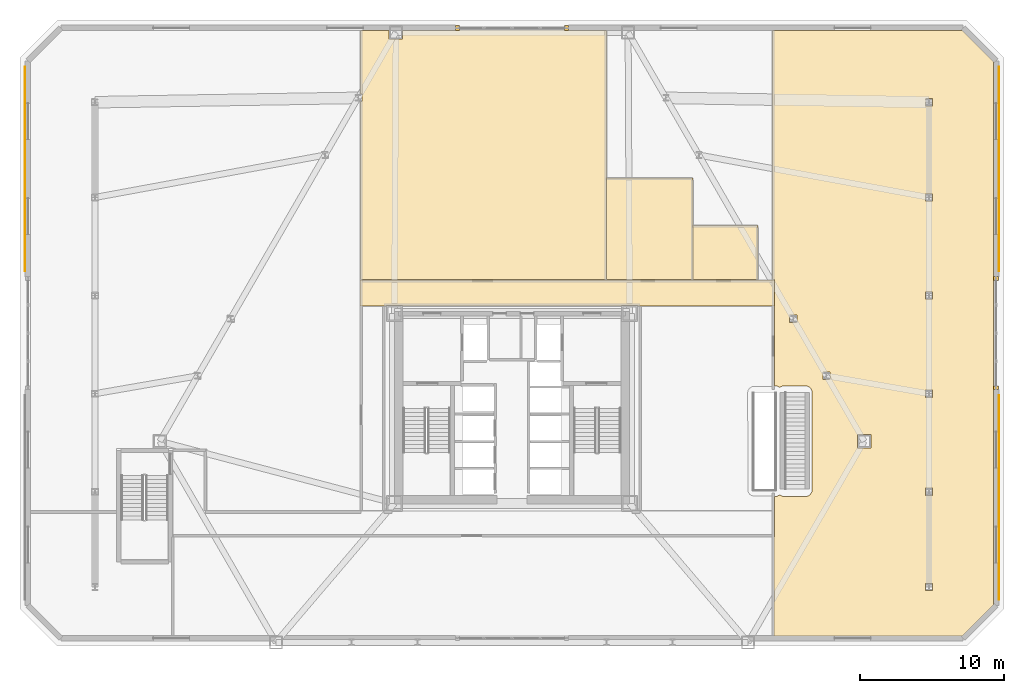
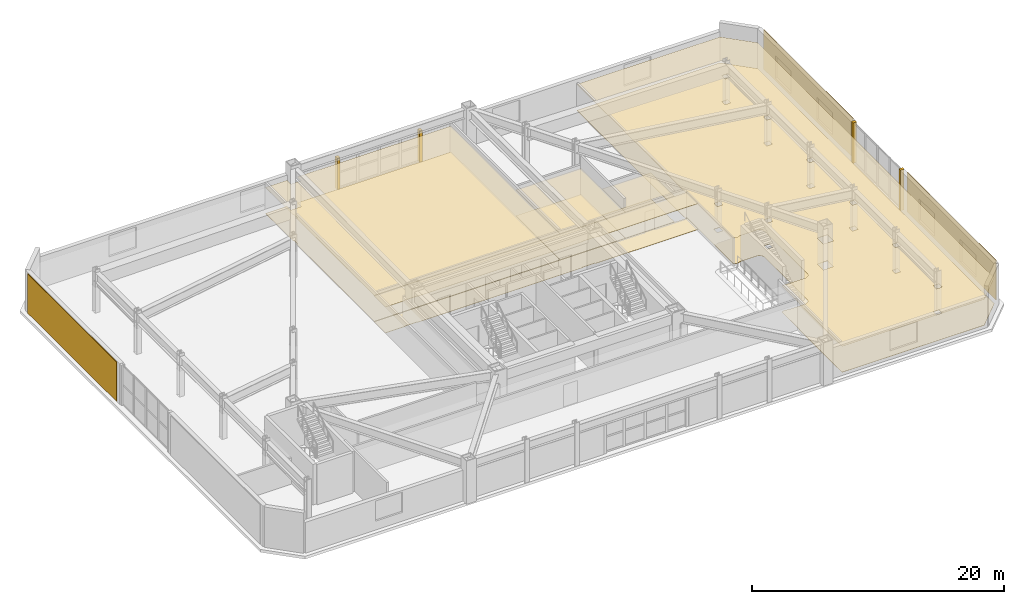
# One storey, part 22 of 22: 17 coverings.
"""IFC4 building model written with IfcOpenShell, lengths in metres."""

from ifc_helpers import new_model, si_unit, direction, frame, origin, origin_2d, place, context, subcontext, project, spatial, polyline, rectangle, outline, extrude, material, layer, layer_set, type_object, element, save


model = new_model("IFC4")

# Units and contexts
model_context = context("Model", 3, precision=1e-05, world=origin(), true_north=direction((0.0, 1.0)))
body_context = subcontext(model_context, "Body", "Model", "MODEL_VIEW")
ifc_project = project(units=[si_unit("LENGTHUNIT", "METRE"), si_unit("AREAUNIT", "SQUARE_METRE"), si_unit("VOLUMEUNIT", "CUBIC_METRE"), si_unit("PLANEANGLEUNIT", "RADIAN"), si_unit("MASSUNIT", "GRAM", prefix="KILO")], contexts=[model_context])

# Site, building, storey
site_placement = place(None, origin())
site = spatial("IfcSite", under=ifc_project, at=site_placement, CompositionType="ELEMENT")
building_placement = place(site_placement, origin())
building = spatial("IfcBuilding", under=site, at=building_placement, Name="Oramaril Tower", CompositionType="ELEMENT")
storey_placement = place(building_placement, frame((0.0, 0.0, 14.10009765625)))
storey = spatial("IfcBuildingStorey", under=building, at=storey_placement, Name="L03", CompositionType="ELEMENT", Elevation=14.10009765625)

# Coverings
ifc_material_1 = material(Name="Mineral Fibre Acoustic Ceiling")
ifc_layer_1 = layer(ifc_material_1, 0.02001953125)
ifc_layer_set_1 = layer_set([ifc_layer_1], Name="CVT-CEIL")
covering_type_1 = type_object("IfcCoveringType", Name="CVT-CEIL", PredefinedType="CEILING", material=ifc_layer_set_1)
covering_1_placement = place(storey_placement, frame((0.0, 0.0, 2.52197265625)))
element("IfcCovering", 1, at=covering_1_placement, inside=storey, type_object=covering_type_1, Name="L03 Acoustic Suspended Ceiling 2", PredefinedType="CEILING", context=body_context, shape_type="SweptSolid", body=[
    extrude(outline(polyline([(55.679931640625, 26.47998046875), (55.679931640625, 24.669921875), (46.219970703125, 24.669921875), (46.219970703125, 24.719970703125), (45.080078125, 24.719970703125), (45.080078125, 24.669921875), (29.919921875, 24.669921875), (29.919921875, 24.719970703125), (28.780029296875, 24.719970703125), (28.780029296875, 24.669921875), (26.969970703125, 24.669921875), (26.969970703125, 26.47998046875), (55.679931640625, 26.47998046875)])), origin(), (0.0, 0.0, 1.0), 0.02001953125),
])
covering_2_placement = place(storey_placement, frame((0.0, 0.0, 2.52197265625)))
element("IfcCovering", 2, at=covering_2_placement, inside=storey, type_object=covering_type_1, Name="L03 Acoustic Suspended Ceiling 6", PredefinedType="CEILING", context=body_context, shape_type="SweptSolid", body=[
    extrude(outline(polyline([(55.77099609375, 11.474609375), (55.86083984375, 11.492431640625), (56.05224609375, 11.587646484375), (56.19140625, 11.509521484375), (56.330078125, 11.474609375), (57.822021484375, 11.471923828125), (57.916259765625, 11.481201171875), (58.052001953125, 11.52978515625), (58.1279296875, 11.580810546875), (58.19287109375, 11.6455078125), (58.266845703125, 11.76904296875), (58.29345703125, 11.856689453125), (58.302978515625, 11.953125), (58.302978515625, 18.66650390625), (58.29345703125, 18.7626953125), (58.266845703125, 18.850341796875), (58.19384765625, 18.97216796875), (58.090087890625, 19.06640625), (57.961669921875, 19.126953125), (57.871826171875, 19.14501953125), (56.330078125, 19.14501953125), (56.19140625, 19.110107421875), (56.05224609375, 19.031982421875), (55.86083984375, 19.127197265625), (55.77099609375, 19.14501953125), (55.699951171875, 19.146240234375), (55.699951171875, 24.64990234375), (55.699951171875, 24.652099609375), (55.69970703125, 24.65380859375), (55.69921875, 24.65576171875), (55.698486328125, 24.65771484375), (55.697509765625, 24.659423828125), (55.697265625, 24.659912109375), (55.697509765625, 24.66064453125), (55.698486328125, 24.662353515625), (55.69921875, 24.664306640625), (55.69970703125, 24.666015625), (55.699951171875, 24.66796875), (55.699951171875, 24.669921875), (55.699951171875, 26.47998046875), (55.699951171875, 26.48193359375), (55.69970703125, 26.48388671875), (55.69921875, 26.48583984375), (55.698486328125, 26.48779296875), (55.697509765625, 26.489501953125), (55.696533203125, 26.4912109375), (55.695556640625, 26.49267578125), (55.694091796875, 26.494140625), (55.692626953125, 26.49560546875), (55.691162109375, 26.49658203125), (55.689453125, 26.49755859375), (55.687744140625, 26.49853515625), (55.685791015625, 26.4990234375), (55.683837890625, 26.49951171875), (55.681884765625, 26.5), (55.679931640625, 26.5), (55.55810546875, 26.5), (55.55810546875, 43.781982421875), (68.70263671875, 43.781982421875), (70.882080078125, 41.6025390625), (70.882080078125, 3.997314453125), (68.70263671875, 1.818115234375), (55.662109375, 1.818115234375), (55.662109375, 8.64990234375), (55.679931640625, 8.64990234375), (55.681884765625, 8.650146484375), (55.683837890625, 8.650390625), (55.685791015625, 8.65087890625), (55.687744140625, 8.651611328125), (55.689453125, 8.65234375), (55.691162109375, 8.6533203125), (55.692626953125, 8.654541015625), (55.694091796875, 8.656005859375), (55.695556640625, 8.6572265625), (55.696533203125, 8.658935546875), (55.697509765625, 8.66064453125), (55.698486328125, 8.662353515625), (55.69921875, 8.664306640625), (55.69970703125, 8.666015625), (55.699951171875, 8.66796875), (55.699951171875, 8.669921875), (55.699951171875, 10.47998046875), (55.699951171875, 10.48193359375), (55.69970703125, 10.48388671875), (55.69921875, 10.48583984375), (55.698486328125, 10.48779296875), (55.697509765625, 10.489501953125), (55.697265625, 10.489990234375), (55.697509765625, 10.490478515625), (55.698486328125, 10.4921875), (55.69921875, 10.494140625), (55.69970703125, 10.49609375), (55.699951171875, 10.498046875), (55.699951171875, 10.5), (55.699951171875, 11.47314453125), (55.77099609375, 11.474609375)]), holes=[polyline([(66.652587890625, 4.947509765625), (66.652587890625, 5.452392578125), (66.1474609375, 5.452392578125), (66.1474609375, 4.947509765625), (66.652587890625, 4.947509765625)]), polyline([(66.652587890625, 12.052490234375), (66.1474609375, 12.052490234375), (66.1474609375, 11.547607421875), (66.652587890625, 11.547607421875), (66.652587890625, 12.052490234375)]), polyline([(62.38037109375, 15.77001953125), (61.440185546875, 15.77001953125), (61.440185546875, 14.830078125), (62.38037109375, 14.830078125), (62.38037109375, 15.77001953125)]), polyline([(66.652587890625, 18.347412109375), (66.652587890625, 18.8525390625), (66.1474609375, 18.8525390625), (66.1474609375, 18.347412109375), (66.652587890625, 18.347412109375)]), polyline([(59.544921875, 20.0869140625), (59.039794921875, 20.0869140625), (59.039794921875, 19.581787109375), (59.544921875, 19.581787109375), (59.544921875, 20.0869140625)]), polyline([(57.254150390625, 23.549560546875), (57.254150390625, 24.054443359375), (56.749267578125, 24.054443359375), (56.749267578125, 23.549560546875), (57.254150390625, 23.549560546875)]), polyline([(66.652587890625, 25.1474609375), (66.652587890625, 25.652587890625), (66.1474609375, 25.652587890625), (66.1474609375, 25.1474609375), (66.652587890625, 25.1474609375)]), polyline([(66.652587890625, 32.452392578125), (66.1474609375, 32.452392578125), (66.1474609375, 31.947509765625), (66.652587890625, 31.947509765625), (66.652587890625, 32.452392578125)]), polyline([(66.652587890625, 38.547607421875), (66.652587890625, 39.052490234375), (66.1474609375, 39.052490234375), (66.1474609375, 38.547607421875), (66.652587890625, 38.547607421875)])]), origin(), (0.0, 0.0, 1.0), 0.02001953125),
])
covering_3_placement = place(storey_placement, frame((0.0, 0.0, 2.52197265625)))
element("IfcCovering", 3, at=covering_3_placement, inside=storey, type_object=covering_type_1, Name="L03 Acoustic Suspended Ceiling 7", PredefinedType="CEILING", context=body_context, shape_type="SweptSolid", body=[
    extrude(outline(polyline([(27.008056640625, 38.85302734375), (27.08642578125, 38.85302734375), (27.08642578125, 39.358154296875), (27.008056640625, 39.358154296875), (27.008056640625, 43.781982421875), (28.981689453125, 43.781982421875), (28.981689453125, 43.169921875), (29.921875, 43.169921875), (29.921875, 43.781982421875), (44.0419921875, 43.781982421875), (44.0419921875, 26.5), (27.008056640625, 26.5), (27.008056640625, 38.85302734375)])), origin(), (0.0, 0.0, 1.0), 0.02001953125),
])
covering_4_placement = place(storey_placement, frame((0.0, 0.0, 2.52197265625)))
element("IfcCovering", 4, at=covering_4_placement, inside=storey, type_object=covering_type_1, Name="L03 Acoustic Suspended Ceiling 9", PredefinedType="CEILING", context=body_context, shape_type="SweptSolid", body=[
    extrude(outline(polyline([(50.0419921875, 33.5419921875), (50.0419921875, 26.5), (44.06201171875, 26.5), (44.06201171875, 33.5419921875), (50.0419921875, 33.5419921875)])), origin(), (0.0, 0.0, 1.0), 0.02001953125),
])
covering_5_placement = place(storey_placement, frame((0.0, 0.0, 2.52197265625)))
element("IfcCovering", 5, at=covering_5_placement, inside=storey, type_object=covering_type_1, Name="L03 Acoustic Suspended Ceiling 10", PredefinedType="CEILING", context=body_context, shape_type="SweptSolid", body=[
    extrude(outline(polyline([(54.5419921875, 26.5), (50.06201171875, 26.5), (50.06201171875, 30.241943359375), (54.5419921875, 30.241943359375), (54.5419921875, 26.5)])), origin(), (0.0, 0.0, 1.0), 0.02001953125),
])
ifc_material_2 = material(Name="Warm Cream Limestone", Category="masonry")
ifc_layer_2 = layer(ifc_material_2, 0.050048828125)
ifc_layer_set_2 = layer_set([ifc_layer_2], Name="CVT-CLD")
covering_type_2 = type_object("IfcCoveringType", Name="CVT-CLD", PredefinedType="CLADDING", material=ifc_layer_set_2)
for number, where, z_axis, x_axis, name in (
    (6, (71.050048828125, 19.02001953125, 0.0), (0.0, 0.0, 1.0), (0.0, 1.0, 0.0), "L03 Curtain Wall Limestone Jamb Closure"),
    (7, (71.050048828125, 26.580078125, 0.0), (0.0, 0.0, 1.0), (0.0, 1.0, 0.0), "L03 Curtain Wall Limestone Jamb Closure"),
):
    element("IfcCovering", number, at=place(storey_placement, frame(where, z_axis=z_axis, x_axis=x_axis)), inside=storey, type_object=covering_type_2, Name=name, PredefinedType="CLADDING", context=body_context, shape_type="SweptSolid", body=[
        extrude(rectangle(XDim=0.260009765625, YDim=0.340087890625, at=origin_2d()), origin(), (0.0, 0.0, 1.0), 3.919921875),
    ])
for number, where, z_axis, x_axis, name in (
    (8, (71.262939453125, 11.413818359375, 0.0498046875), (0.0, 0.0, 1.0), (0.0, 1.0, 0.0), "L03 Warm Cream Limestone Cladding"),
    (9, (71.262939453125, 34.18603515625, 0.0498046875), (0.0, 0.0, 1.0), (0.0, 1.0, 0.0), "L03 Warm Cream Limestone Cladding"),
):
    element("IfcCovering", number, at=place(storey_placement, frame(where, z_axis=z_axis, x_axis=x_axis)), inside=storey, type_object=covering_type_2, Name=name, PredefinedType="CLADDING", context=body_context, shape_type="SweptSolid", body=[
        extrude(rectangle(XDim=14.172119140625, YDim=0.050048828125, at=origin_2d()), origin(), (0.0, 0.0, 1.0), 3.820068359375),
    ])
for number, where, z_axis, x_axis, name in (
    (10, (41.280029296875, 43.949951171875, 0.0), (0.0, 0.0, 1.0), (-1.0, 0.0, 0.0), "L03 Curtain Wall Limestone Jamb Closure"),
    (11, (33.719970703125, 43.949951171875, 0.0), (0.0, 0.0, 1.0), (-1.0, 0.0, 0.0), "L03 Curtain Wall Limestone Jamb Closure"),
):
    element("IfcCovering", number, at=place(storey_placement, frame(where, z_axis=z_axis, x_axis=x_axis)), inside=storey, type_object=covering_type_2, Name=name, PredefinedType="CLADDING", context=body_context, shape_type="SweptSolid", body=[
        extrude(rectangle(XDim=0.260009765625, YDim=0.340087890625, at=origin_2d()), origin(), (0.0, 0.0, 1.0), 3.053955078125),
    ])
covering_6_placement = place(storey_placement, frame((3.737060546875, 34.18603515625, 0.0498046875), z_axis=(0.0, 0.0, 1.0), x_axis=(0.0, -1.0, 0.0)))
element("IfcCovering", 12, at=covering_6_placement, inside=storey, type_object=covering_type_2, Name="L03 Warm Cream Limestone Cladding", PredefinedType="CLADDING", context=body_context, shape_type="SweptSolid", body=[
    extrude(rectangle(XDim=14.172119140625, YDim=0.050048828125, at=origin_2d()), origin(), (0.0, 0.0, 1.0), 3.820068359375),
])
ifc_material_3 = material(Name="Honed Quartzite Stone Flooring", Category="masonry")
ifc_layer_3 = layer(ifc_material_3, 0.02490234375)
ifc_layer_set_3 = layer_set([ifc_layer_3], Name="CVT-FLR")
covering_type_3 = type_object("IfcCoveringType", Name="CVT-FLR", PredefinedType="FLOORING", material=ifc_layer_set_3)
covering_7_placement = place(storey_placement, origin())
element("IfcCovering", 13, at=covering_7_placement, inside=storey, type_object=covering_type_3, Name="L03 Honed Stone Floor Finish 2", PredefinedType="FLOORING", context=body_context, shape_type="SweptSolid", body=[
    extrude(outline(polyline([(55.679931640625, 26.47998046875), (55.679931640625, 24.669921875), (46.219970703125, 24.669921875), (46.219970703125, 24.719970703125), (45.080078125, 24.719970703125), (45.080078125, 24.669921875), (29.919921875, 24.669921875), (29.919921875, 24.719970703125), (28.780029296875, 24.719970703125), (28.780029296875, 24.669921875), (26.969970703125, 24.669921875), (26.969970703125, 26.47998046875), (55.679931640625, 26.47998046875)])), origin(), (0.0, 0.0, 1.0), 0.02490234375),
])
covering_8_placement = place(storey_placement, origin())
element("IfcCovering", 14, at=covering_8_placement, inside=storey, type_object=covering_type_3, Name="L03 Honed Stone Floor Finish 6", PredefinedType="FLOORING", context=body_context, shape_type="SweptSolid", body=[
    extrude(outline(polyline([(55.77099609375, 11.474609375), (55.86083984375, 11.492431640625), (56.05224609375, 11.587646484375), (56.19140625, 11.509521484375), (56.330078125, 11.474609375), (57.822021484375, 11.471923828125), (57.916259765625, 11.481201171875), (58.052001953125, 11.52978515625), (58.1279296875, 11.580810546875), (58.19287109375, 11.6455078125), (58.266845703125, 11.76904296875), (58.29345703125, 11.856689453125), (58.302978515625, 11.953125), (58.302978515625, 18.66650390625), (58.29345703125, 18.7626953125), (58.266845703125, 18.850341796875), (58.19384765625, 18.97216796875), (58.090087890625, 19.06640625), (57.961669921875, 19.126953125), (57.871826171875, 19.14501953125), (56.330078125, 19.14501953125), (56.19140625, 19.110107421875), (56.05224609375, 19.031982421875), (55.86083984375, 19.127197265625), (55.77099609375, 19.14501953125), (55.699951171875, 19.146240234375), (55.699951171875, 24.64990234375), (55.699951171875, 24.652099609375), (55.69970703125, 24.65380859375), (55.69921875, 24.65576171875), (55.698486328125, 24.65771484375), (55.697509765625, 24.659423828125), (55.697265625, 24.659912109375), (55.697509765625, 24.66064453125), (55.698486328125, 24.662353515625), (55.69921875, 24.664306640625), (55.69970703125, 24.666015625), (55.699951171875, 24.66796875), (55.699951171875, 24.669921875), (55.699951171875, 26.47998046875), (55.699951171875, 26.48193359375), (55.69970703125, 26.48388671875), (55.69921875, 26.48583984375), (55.698486328125, 26.48779296875), (55.697509765625, 26.489501953125), (55.696533203125, 26.4912109375), (55.695556640625, 26.49267578125), (55.694091796875, 26.494140625), (55.692626953125, 26.49560546875), (55.691162109375, 26.49658203125), (55.689453125, 26.49755859375), (55.687744140625, 26.49853515625), (55.685791015625, 26.4990234375), (55.683837890625, 26.49951171875), (55.681884765625, 26.5), (55.679931640625, 26.5), (55.55810546875, 26.5), (55.55810546875, 43.781982421875), (68.70263671875, 43.781982421875), (70.882080078125, 41.6025390625), (70.882080078125, 3.997314453125), (68.70263671875, 1.818115234375), (55.662109375, 1.818115234375), (55.662109375, 8.64990234375), (55.679931640625, 8.64990234375), (55.681884765625, 8.650146484375), (55.683837890625, 8.650390625), (55.685791015625, 8.65087890625), (55.687744140625, 8.651611328125), (55.689453125, 8.65234375), (55.691162109375, 8.6533203125), (55.692626953125, 8.654541015625), (55.694091796875, 8.656005859375), (55.695556640625, 8.6572265625), (55.696533203125, 8.658935546875), (55.697509765625, 8.66064453125), (55.698486328125, 8.662353515625), (55.69921875, 8.664306640625), (55.69970703125, 8.666015625), (55.699951171875, 8.66796875), (55.699951171875, 8.669921875), (55.699951171875, 10.47998046875), (55.699951171875, 10.48193359375), (55.69970703125, 10.48388671875), (55.69921875, 10.48583984375), (55.698486328125, 10.48779296875), (55.697509765625, 10.489501953125), (55.697265625, 10.489990234375), (55.697509765625, 10.490478515625), (55.698486328125, 10.4921875), (55.69921875, 10.494140625), (55.69970703125, 10.49609375), (55.699951171875, 10.498046875), (55.699951171875, 10.5), (55.699951171875, 11.47314453125), (55.77099609375, 11.474609375)]), holes=[polyline([(66.652587890625, 4.947509765625), (66.652587890625, 5.452392578125), (66.1474609375, 5.452392578125), (66.1474609375, 4.947509765625), (66.652587890625, 4.947509765625)]), polyline([(66.652587890625, 12.052490234375), (66.1474609375, 12.052490234375), (66.1474609375, 11.547607421875), (66.652587890625, 11.547607421875), (66.652587890625, 12.052490234375)]), polyline([(62.38037109375, 15.77001953125), (61.440185546875, 15.77001953125), (61.440185546875, 14.830078125), (62.38037109375, 14.830078125), (62.38037109375, 15.77001953125)]), polyline([(66.652587890625, 18.347412109375), (66.652587890625, 18.8525390625), (66.1474609375, 18.8525390625), (66.1474609375, 18.347412109375), (66.652587890625, 18.347412109375)]), polyline([(59.544921875, 20.0869140625), (59.039794921875, 20.0869140625), (59.039794921875, 19.581787109375), (59.544921875, 19.581787109375), (59.544921875, 20.0869140625)]), polyline([(57.254150390625, 23.549560546875), (57.254150390625, 24.054443359375), (56.749267578125, 24.054443359375), (56.749267578125, 23.549560546875), (57.254150390625, 23.549560546875)]), polyline([(66.652587890625, 25.1474609375), (66.652587890625, 25.652587890625), (66.1474609375, 25.652587890625), (66.1474609375, 25.1474609375), (66.652587890625, 25.1474609375)]), polyline([(66.652587890625, 32.452392578125), (66.1474609375, 32.452392578125), (66.1474609375, 31.947509765625), (66.652587890625, 31.947509765625), (66.652587890625, 32.452392578125)]), polyline([(66.652587890625, 38.547607421875), (66.652587890625, 39.052490234375), (66.1474609375, 39.052490234375), (66.1474609375, 38.547607421875), (66.652587890625, 38.547607421875)])]), origin(), (0.0, 0.0, 1.0), 0.02490234375),
])
covering_9_placement = place(storey_placement, origin())
element("IfcCovering", 15, at=covering_9_placement, inside=storey, type_object=covering_type_3, Name="L03 Honed Stone Floor Finish 7", PredefinedType="FLOORING", context=body_context, shape_type="SweptSolid", body=[
    extrude(outline(polyline([(27.008056640625, 38.85302734375), (27.08642578125, 38.85302734375), (27.08642578125, 39.358154296875), (27.008056640625, 39.358154296875), (27.008056640625, 43.781982421875), (28.981689453125, 43.781982421875), (28.981689453125, 43.169921875), (29.921875, 43.169921875), (29.921875, 43.781982421875), (44.0419921875, 43.781982421875), (44.0419921875, 26.5), (27.008056640625, 26.5), (27.008056640625, 38.85302734375)])), origin(), (0.0, 0.0, 1.0), 0.02490234375),
])
covering_10_placement = place(storey_placement, origin())
element("IfcCovering", 16, at=covering_10_placement, inside=storey, type_object=covering_type_3, Name="L03 Honed Stone Floor Finish 9", PredefinedType="FLOORING", context=body_context, shape_type="SweptSolid", body=[
    extrude(outline(polyline([(50.0419921875, 33.5419921875), (50.0419921875, 26.5), (44.06201171875, 26.5), (44.06201171875, 33.5419921875), (50.0419921875, 33.5419921875)])), origin(), (0.0, 0.0, 1.0), 0.02490234375),
])
covering_11_placement = place(storey_placement, origin())
element("IfcCovering", 17, at=covering_11_placement, inside=storey, type_object=covering_type_3, Name="L03 Honed Stone Floor Finish 10", PredefinedType="FLOORING", context=body_context, shape_type="SweptSolid", body=[
    extrude(outline(polyline([(54.5419921875, 26.5), (50.06201171875, 26.5), (50.06201171875, 30.241943359375), (54.5419921875, 30.241943359375), (54.5419921875, 26.5)])), origin(), (0.0, 0.0, 1.0), 0.02490234375),
])

save(model, "model.ifc")
